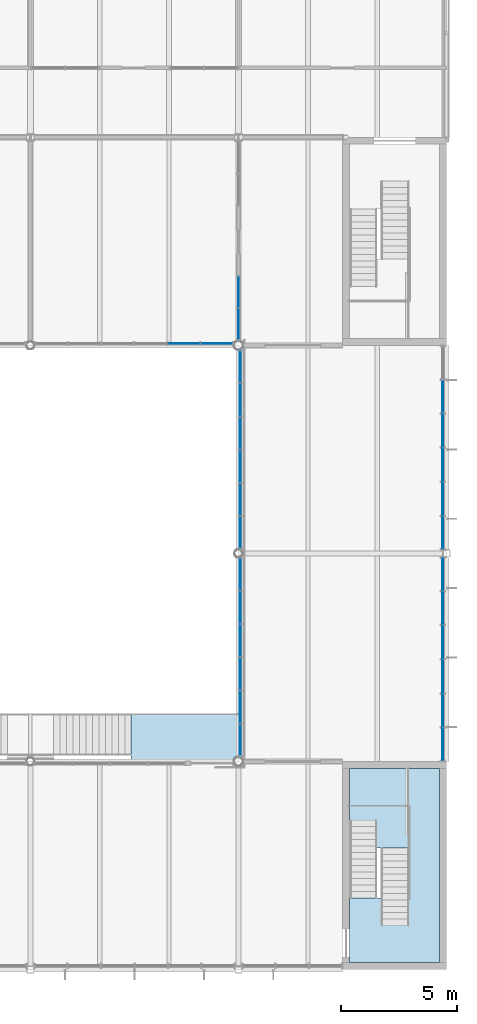
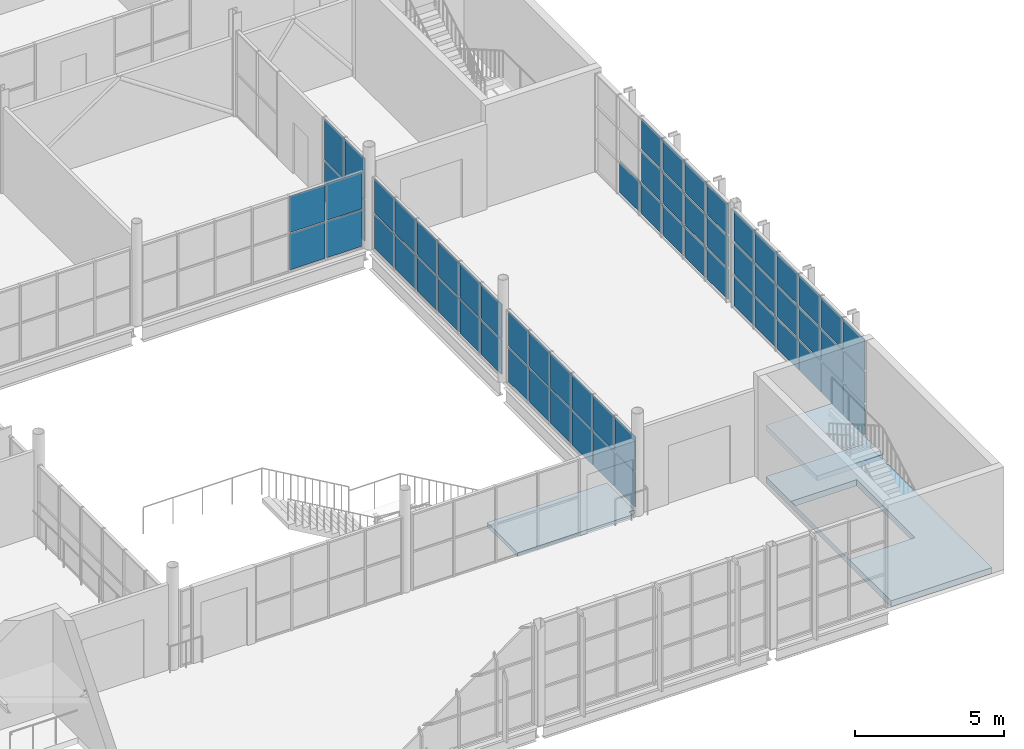
# One storey, part 30 of 57: 63 plates, 3 slabs, 7 elements without a shape of their own.
"""IFC4 building model written with IfcOpenShell, lengths in metres."""

from ifc_helpers import new_model, si_unit, direction, frame, origin, origin_2d, place, context, subcontext, project, spatial, polyline, rectangle, outline, extrude, material, layer, layer_set, type_object, element, aggregate, save


model = new_model("IFC4")

# Units and contexts
model_context = context("Model", 3, precision=1e-05, world=origin(), true_north=direction((0.0, 1.0)))
body_context = subcontext(model_context, "Body", "Model", "MODEL_VIEW")
ifc_project = project(units=[si_unit("LENGTHUNIT", "METRE"), si_unit("AREAUNIT", "SQUARE_METRE"), si_unit("VOLUMEUNIT", "CUBIC_METRE"), si_unit("PLANEANGLEUNIT", "RADIAN"), si_unit("MASSUNIT", "GRAM", prefix="KILO")], contexts=[model_context])

# Site, building, storey
site_placement = place(None, origin())
site = spatial("IfcSite", under=ifc_project, at=site_placement, CompositionType="ELEMENT")
building_placement = place(site_placement, origin())
building = spatial("IfcBuilding", under=site, at=building_placement, Name="Halyard Row Museum", CompositionType="ELEMENT")
storey_placement = place(building_placement, frame((0.0, 0.0, 5.0)))
storey = spatial("IfcBuildingStorey", under=building, at=storey_placement, Name="L01", CompositionType="ELEMENT", Elevation=5.0)

# Slab
ifc_material_1 = material(Name="Concrete 40 MPa", Category="concrete")
ifc_layer_1 = layer(ifc_material_1, 0.25)
ifc_layer_set_1 = layer_set([ifc_layer_1], Name="Concrete 40 MPa")
slab_type_1 = type_object("IfcSlabType", Name="Core floor slab 250", PredefinedType="FLOOR", material=ifc_layer_set_1)
slab_1_placement = place(storey_placement, frame((0.0, 0.0, -0.25)))
element("IfcSlab", 1, at=slab_1_placement, inside=storey, type_object=slab_type_1, Name="Core floor K2B L01", PredefinedType="FLOOR", context=body_context, shape_type="SweptSolid", body=[
    extrude(outline(polyline([(107.699951171875, 8.699951171875), (103.800048828125, 8.699951171875), (103.800048828125, 0.300048828125), (107.699951171875, 0.300048828125), (107.699951171875, 8.699951171875)]), holes=[polyline([(103.802978515625, 7.01708984375), (106.346923828125, 7.01708984375), (106.346923828125, 3.10302734375), (103.802978515625, 3.10302734375), (103.802978515625, 7.01708984375)])]), origin(), (0.0, 0.0, 1.0), 0.25),
])

# Curtain wall, plates
ifc_material_2 = material(Name="Double glazed unit, low-emissivity", Category="glass")
ifc_layer_2 = layer(ifc_material_2, 0.219970703125)
ifc_layer_set_2 = layer_set([ifc_layer_2], Name="Double glazed unit, low-emissivity")
curtain_wall_type_1 = type_object("IfcCurtainWallType", Name="Curtain wall unitised 220 deep", PredefinedType="NOTDEFINED", material=ifc_layer_set_2)
curtain_wall_1_placement = place(storey_placement, origin())
curtain_wall_1 = element("IfcCurtainWall", 2, at=curtain_wall_1_placement, inside=storey, type_object=curtain_wall_type_1, Name="Curtain wall CW020", PredefinedType="NOTDEFINED")
ifc_material_3 = material(Name="Double glazed unit, low-emissivity", Category="glass")
ifc_layer_3 = layer(ifc_material_3, 0.035888671875)
ifc_layer_set_3 = layer_set([ifc_layer_3], Name="Double glazed unit, low-emissivity")
plate_type_1 = type_object("IfcPlateType", Name="Curtain wall glazed panel CP3 36", PredefinedType="CURTAIN_PANEL", material=ifc_layer_set_3)
plate_1_placement = place(storey_placement, frame((107.840087890625, 9.75244140625, 0.06005859375), z_axis=(0.0, 0.0, 1.0), x_axis=(0.0, 1.0, 0.0)))
plate_1 = element("IfcPlate", 3, at=plate_1_placement, type_object=plate_type_1, Name="CW020 panel 1.1", PredefinedType="CURTAIN_PANEL", context=body_context, shape_type="SweptSolid", body=[
    extrude(rectangle(XDim=1.385009765625, YDim=0.035888671875, at=origin_2d()), origin(), (0.0, 0.0, 1.0), 1.2548828125),
])
plate_2_placement = place(storey_placement, frame((107.840087890625, 9.75244140625, 1.375), z_axis=(0.0, 0.0, 1.0), x_axis=(0.0, 1.0, 0.0)))
plate_2 = element("IfcPlate", 4, at=plate_2_placement, type_object=plate_type_1, Name="CW020 panel 1.2", PredefinedType="CURTAIN_PANEL", context=body_context, shape_type="SweptSolid", body=[
    extrude(rectangle(XDim=1.385009765625, YDim=0.035888671875, at=origin_2d()), origin(), (0.0, 0.0, 1.0), 1.284912109375),
])
plate_3_placement = place(storey_placement, frame((107.840087890625, 9.75244140625, 2.719970703125), z_axis=(0.0, 0.0, 1.0), x_axis=(0.0, 1.0, 0.0)))
plate_3 = element("IfcPlate", 5, at=plate_3_placement, type_object=plate_type_1, Name="CW020 panel 1.3", PredefinedType="CURTAIN_PANEL", context=body_context, shape_type="SweptSolid", body=[
    extrude(rectangle(XDim=1.385009765625, YDim=0.035888671875, at=origin_2d()), origin(), (0.0, 0.0, 1.0), 1.2548828125),
])
plate_4_placement = place(storey_placement, frame((107.840087890625, 11.21240234375, 0.06005859375), z_axis=(0.0, 0.0, 1.0), x_axis=(0.0, 1.0, 0.0)))
plate_4 = element("IfcPlate", 6, at=plate_4_placement, type_object=plate_type_1, Name="CW020 panel 2.1", PredefinedType="CURTAIN_PANEL", context=body_context, shape_type="SweptSolid", body=[
    extrude(rectangle(XDim=1.4150390625, YDim=0.035888671875, at=origin_2d()), origin(), (0.0, 0.0, 1.0), 1.2548828125),
])
plate_5_placement = place(storey_placement, frame((107.840087890625, 11.21240234375, 1.375), z_axis=(0.0, 0.0, 1.0), x_axis=(0.0, 1.0, 0.0)))
plate_5 = element("IfcPlate", 7, at=plate_5_placement, type_object=plate_type_1, Name="CW020 panel 2.2", PredefinedType="CURTAIN_PANEL", context=body_context, shape_type="SweptSolid", body=[
    extrude(rectangle(XDim=1.4150390625, YDim=0.035888671875, at=origin_2d()), origin(), (0.0, 0.0, 1.0), 1.284912109375),
])
plate_6_placement = place(storey_placement, frame((107.840087890625, 11.21240234375, 2.719970703125), z_axis=(0.0, 0.0, 1.0), x_axis=(0.0, 1.0, 0.0)))
plate_6 = element("IfcPlate", 8, at=plate_6_placement, type_object=plate_type_1, Name="CW020 panel 2.3", PredefinedType="CURTAIN_PANEL", context=body_context, shape_type="SweptSolid", body=[
    extrude(rectangle(XDim=1.4150390625, YDim=0.035888671875, at=origin_2d()), origin(), (0.0, 0.0, 1.0), 1.2548828125),
])
plate_7_placement = place(storey_placement, frame((107.840087890625, 12.6875, 0.06005859375), z_axis=(0.0, 0.0, 1.0), x_axis=(0.0, 1.0, 0.0)))
plate_7 = element("IfcPlate", 9, at=plate_7_placement, type_object=plate_type_1, Name="CW020 panel 3.1", PredefinedType="CURTAIN_PANEL", context=body_context, shape_type="SweptSolid", body=[
    extrude(rectangle(XDim=1.4150390625, YDim=0.035888671875, at=origin_2d()), origin(), (0.0, 0.0, 1.0), 1.2548828125),
])
plate_8_placement = place(storey_placement, frame((107.840087890625, 12.6875, 1.375), z_axis=(0.0, 0.0, 1.0), x_axis=(0.0, 1.0, 0.0)))
plate_8 = element("IfcPlate", 10, at=plate_8_placement, type_object=plate_type_1, Name="CW020 panel 3.2", PredefinedType="CURTAIN_PANEL", context=body_context, shape_type="SweptSolid", body=[
    extrude(rectangle(XDim=1.4150390625, YDim=0.035888671875, at=origin_2d()), origin(), (0.0, 0.0, 1.0), 1.284912109375),
])
plate_9_placement = place(storey_placement, frame((107.840087890625, 12.6875, 2.719970703125), z_axis=(0.0, 0.0, 1.0), x_axis=(0.0, 1.0, 0.0)))
plate_9 = element("IfcPlate", 11, at=plate_9_placement, type_object=plate_type_1, Name="CW020 panel 3.3", PredefinedType="CURTAIN_PANEL", context=body_context, shape_type="SweptSolid", body=[
    extrude(rectangle(XDim=1.4150390625, YDim=0.035888671875, at=origin_2d()), origin(), (0.0, 0.0, 1.0), 1.2548828125),
])
plate_10_placement = place(storey_placement, frame((107.840087890625, 14.16259765625, 0.06005859375), z_axis=(0.0, 0.0, 1.0), x_axis=(0.0, 1.0, 0.0)))
plate_10 = element("IfcPlate", 12, at=plate_10_placement, type_object=plate_type_1, Name="CW020 panel 4.1", PredefinedType="CURTAIN_PANEL", context=body_context, shape_type="SweptSolid", body=[
    extrude(rectangle(XDim=1.4150390625, YDim=0.035888671875, at=origin_2d()), origin(), (0.0, 0.0, 1.0), 1.2548828125),
])
plate_11_placement = place(storey_placement, frame((107.840087890625, 14.16259765625, 1.375), z_axis=(0.0, 0.0, 1.0), x_axis=(0.0, 1.0, 0.0)))
plate_11 = element("IfcPlate", 13, at=plate_11_placement, type_object=plate_type_1, Name="CW020 panel 4.2", PredefinedType="CURTAIN_PANEL", context=body_context, shape_type="SweptSolid", body=[
    extrude(rectangle(XDim=1.4150390625, YDim=0.035888671875, at=origin_2d()), origin(), (0.0, 0.0, 1.0), 1.284912109375),
])
plate_12_placement = place(storey_placement, frame((107.840087890625, 14.16259765625, 2.719970703125), z_axis=(0.0, 0.0, 1.0), x_axis=(0.0, 1.0, 0.0)))
plate_12 = element("IfcPlate", 14, at=plate_12_placement, type_object=plate_type_1, Name="CW020 panel 4.3", PredefinedType="CURTAIN_PANEL", context=body_context, shape_type="SweptSolid", body=[
    extrude(rectangle(XDim=1.4150390625, YDim=0.035888671875, at=origin_2d()), origin(), (0.0, 0.0, 1.0), 1.2548828125),
])
plate_13_placement = place(storey_placement, frame((107.840087890625, 15.637451171875, 0.06005859375), z_axis=(0.0, 0.0, 1.0), x_axis=(0.0, 1.0, 0.0)))
plate_13 = element("IfcPlate", 15, at=plate_13_placement, type_object=plate_type_1, Name="CW020 panel 5.1", PredefinedType="CURTAIN_PANEL", context=body_context, shape_type="SweptSolid", body=[
    extrude(rectangle(XDim=1.4150390625, YDim=0.035888671875, at=origin_2d()), origin(), (0.0, 0.0, 1.0), 1.2548828125),
])
plate_14_placement = place(storey_placement, frame((107.840087890625, 15.637451171875, 1.375), z_axis=(0.0, 0.0, 1.0), x_axis=(0.0, 1.0, 0.0)))
plate_14 = element("IfcPlate", 16, at=plate_14_placement, type_object=plate_type_1, Name="CW020 panel 5.2", PredefinedType="CURTAIN_PANEL", context=body_context, shape_type="SweptSolid", body=[
    extrude(rectangle(XDim=1.4150390625, YDim=0.035888671875, at=origin_2d()), origin(), (0.0, 0.0, 1.0), 1.284912109375),
])
plate_15_placement = place(storey_placement, frame((107.840087890625, 15.637451171875, 2.719970703125), z_axis=(0.0, 0.0, 1.0), x_axis=(0.0, 1.0, 0.0)))
plate_15 = element("IfcPlate", 17, at=plate_15_placement, type_object=plate_type_1, Name="CW020 panel 5.3", PredefinedType="CURTAIN_PANEL", context=body_context, shape_type="SweptSolid", body=[
    extrude(rectangle(XDim=1.4150390625, YDim=0.035888671875, at=origin_2d()), origin(), (0.0, 0.0, 1.0), 1.2548828125),
])
plate_16_placement = place(storey_placement, frame((107.840087890625, 17.097412109375, 0.06005859375), z_axis=(0.0, 0.0, 1.0), x_axis=(0.0, 1.0, 0.0)))
plate_16 = element("IfcPlate", 18, at=plate_16_placement, type_object=plate_type_1, Name="CW020 panel 6.1", PredefinedType="CURTAIN_PANEL", context=body_context, shape_type="SweptSolid", body=[
    extrude(rectangle(XDim=1.385009765625, YDim=0.035888671875, at=origin_2d()), origin(), (0.0, 0.0, 1.0), 1.2548828125),
])
plate_17_placement = place(storey_placement, frame((107.840087890625, 17.097412109375, 1.375), z_axis=(0.0, 0.0, 1.0), x_axis=(0.0, 1.0, 0.0)))
plate_17 = element("IfcPlate", 19, at=plate_17_placement, type_object=plate_type_1, Name="CW020 panel 6.2", PredefinedType="CURTAIN_PANEL", context=body_context, shape_type="SweptSolid", body=[
    extrude(rectangle(XDim=1.385009765625, YDim=0.035888671875, at=origin_2d()), origin(), (0.0, 0.0, 1.0), 1.284912109375),
])
plate_18_placement = place(storey_placement, frame((107.840087890625, 17.097412109375, 2.719970703125), z_axis=(0.0, 0.0, 1.0), x_axis=(0.0, 1.0, 0.0)))
plate_18 = element("IfcPlate", 20, at=plate_18_placement, type_object=plate_type_1, Name="CW020 panel 6.3", PredefinedType="CURTAIN_PANEL", context=body_context, shape_type="SweptSolid", body=[
    extrude(rectangle(XDim=1.385009765625, YDim=0.035888671875, at=origin_2d()), origin(), (0.0, 0.0, 1.0), 1.2548828125),
])
aggregate(curtain_wall_1, [plate_1, plate_2, plate_3, plate_4, plate_5, plate_6, plate_7, plate_8, plate_9, plate_10, plate_11, plate_12, plate_13, plate_14, plate_15, plate_16, plate_17, plate_18])

curtain_wall_2_placement = place(storey_placement, origin())
curtain_wall_2 = element("IfcCurtainWall", 21, at=curtain_wall_2_placement, inside=storey, type_object=curtain_wall_type_1, Name="Curtain wall CW021", PredefinedType="NOTDEFINED")
plate_19_placement = place(storey_placement, frame((107.840087890625, 18.902587890625, 0.06005859375), z_axis=(0.0, 0.0, 1.0), x_axis=(0.0, 1.0, 0.0)))
plate_19 = element("IfcPlate", 22, at=plate_19_placement, type_object=plate_type_1, Name="CW021 panel 1.1", PredefinedType="CURTAIN_PANEL", context=body_context, shape_type="SweptSolid", body=[
    extrude(rectangle(XDim=1.385009765625, YDim=0.035888671875, at=origin_2d()), origin(), (0.0, 0.0, 1.0), 1.2548828125),
])
plate_20_placement = place(storey_placement, frame((107.840087890625, 18.902587890625, 1.375), z_axis=(0.0, 0.0, 1.0), x_axis=(0.0, 1.0, 0.0)))
plate_20 = element("IfcPlate", 23, at=plate_20_placement, type_object=plate_type_1, Name="CW021 panel 1.2", PredefinedType="CURTAIN_PANEL", context=body_context, shape_type="SweptSolid", body=[
    extrude(rectangle(XDim=1.385009765625, YDim=0.035888671875, at=origin_2d()), origin(), (0.0, 0.0, 1.0), 1.284912109375),
])
plate_21_placement = place(storey_placement, frame((107.840087890625, 18.902587890625, 2.719970703125), z_axis=(0.0, 0.0, 1.0), x_axis=(0.0, 1.0, 0.0)))
plate_21 = element("IfcPlate", 24, at=plate_21_placement, type_object=plate_type_1, Name="CW021 panel 1.3", PredefinedType="CURTAIN_PANEL", context=body_context, shape_type="SweptSolid", body=[
    extrude(rectangle(XDim=1.385009765625, YDim=0.035888671875, at=origin_2d()), origin(), (0.0, 0.0, 1.0), 1.2548828125),
])
plate_22_placement = place(storey_placement, frame((107.840087890625, 20.362548828125, 0.06005859375), z_axis=(0.0, 0.0, 1.0), x_axis=(0.0, 1.0, 0.0)))
plate_22 = element("IfcPlate", 25, at=plate_22_placement, type_object=plate_type_1, Name="CW021 panel 2.1", PredefinedType="CURTAIN_PANEL", context=body_context, shape_type="SweptSolid", body=[
    extrude(rectangle(XDim=1.4150390625, YDim=0.035888671875, at=origin_2d()), origin(), (0.0, 0.0, 1.0), 1.2548828125),
])
plate_23_placement = place(storey_placement, frame((107.840087890625, 20.362548828125, 1.375), z_axis=(0.0, 0.0, 1.0), x_axis=(0.0, 1.0, 0.0)))
plate_23 = element("IfcPlate", 26, at=plate_23_placement, type_object=plate_type_1, Name="CW021 panel 2.2", PredefinedType="CURTAIN_PANEL", context=body_context, shape_type="SweptSolid", body=[
    extrude(rectangle(XDim=1.4150390625, YDim=0.035888671875, at=origin_2d()), origin(), (0.0, 0.0, 1.0), 1.284912109375),
])
plate_24_placement = place(storey_placement, frame((107.840087890625, 20.362548828125, 2.719970703125), z_axis=(0.0, 0.0, 1.0), x_axis=(0.0, 1.0, 0.0)))
plate_24 = element("IfcPlate", 27, at=plate_24_placement, type_object=plate_type_1, Name="CW021 panel 2.3", PredefinedType="CURTAIN_PANEL", context=body_context, shape_type="SweptSolid", body=[
    extrude(rectangle(XDim=1.4150390625, YDim=0.035888671875, at=origin_2d()), origin(), (0.0, 0.0, 1.0), 1.2548828125),
])
plate_25_placement = place(storey_placement, frame((107.840087890625, 21.83740234375, 0.06005859375), z_axis=(0.0, 0.0, 1.0), x_axis=(0.0, 1.0, 0.0)))
plate_25 = element("IfcPlate", 28, at=plate_25_placement, type_object=plate_type_1, Name="CW021 panel 3.1", PredefinedType="CURTAIN_PANEL", context=body_context, shape_type="SweptSolid", body=[
    extrude(rectangle(XDim=1.4150390625, YDim=0.035888671875, at=origin_2d()), origin(), (0.0, 0.0, 1.0), 1.2548828125),
])
plate_26_placement = place(storey_placement, frame((107.840087890625, 21.83740234375, 1.375), z_axis=(0.0, 0.0, 1.0), x_axis=(0.0, 1.0, 0.0)))
plate_26 = element("IfcPlate", 29, at=plate_26_placement, type_object=plate_type_1, Name="CW021 panel 3.2", PredefinedType="CURTAIN_PANEL", context=body_context, shape_type="SweptSolid", body=[
    extrude(rectangle(XDim=1.4150390625, YDim=0.035888671875, at=origin_2d()), origin(), (0.0, 0.0, 1.0), 1.284912109375),
])
plate_27_placement = place(storey_placement, frame((107.840087890625, 21.83740234375, 2.719970703125), z_axis=(0.0, 0.0, 1.0), x_axis=(0.0, 1.0, 0.0)))
plate_27 = element("IfcPlate", 30, at=plate_27_placement, type_object=plate_type_1, Name="CW021 panel 3.3", PredefinedType="CURTAIN_PANEL", context=body_context, shape_type="SweptSolid", body=[
    extrude(rectangle(XDim=1.4150390625, YDim=0.035888671875, at=origin_2d()), origin(), (0.0, 0.0, 1.0), 1.2548828125),
])
plate_28_placement = place(storey_placement, frame((107.840087890625, 23.3125, 0.06005859375), z_axis=(0.0, 0.0, 1.0), x_axis=(0.0, 1.0, 0.0)))
plate_28 = element("IfcPlate", 31, at=plate_28_placement, type_object=plate_type_1, Name="CW021 panel 4.1", PredefinedType="CURTAIN_PANEL", context=body_context, shape_type="SweptSolid", body=[
    extrude(rectangle(XDim=1.4150390625, YDim=0.035888671875, at=origin_2d()), origin(), (0.0, 0.0, 1.0), 1.2548828125),
])
plate_29_placement = place(storey_placement, frame((107.840087890625, 23.3125, 1.375), z_axis=(0.0, 0.0, 1.0), x_axis=(0.0, 1.0, 0.0)))
plate_29 = element("IfcPlate", 32, at=plate_29_placement, type_object=plate_type_1, Name="CW021 panel 4.2", PredefinedType="CURTAIN_PANEL", context=body_context, shape_type="SweptSolid", body=[
    extrude(rectangle(XDim=1.4150390625, YDim=0.035888671875, at=origin_2d()), origin(), (0.0, 0.0, 1.0), 1.284912109375),
])
plate_30_placement = place(storey_placement, frame((107.840087890625, 23.3125, 2.719970703125), z_axis=(0.0, 0.0, 1.0), x_axis=(0.0, 1.0, 0.0)))
plate_30 = element("IfcPlate", 33, at=plate_30_placement, type_object=plate_type_1, Name="CW021 panel 4.3", PredefinedType="CURTAIN_PANEL", context=body_context, shape_type="SweptSolid", body=[
    extrude(rectangle(XDim=1.4150390625, YDim=0.035888671875, at=origin_2d()), origin(), (0.0, 0.0, 1.0), 1.2548828125),
])
plate_31_placement = place(storey_placement, frame((107.840087890625, 24.78759765625, 0.06005859375), z_axis=(0.0, 0.0, 1.0), x_axis=(0.0, 1.0, 0.0)))
plate_31 = element("IfcPlate", 34, at=plate_31_placement, type_object=plate_type_1, Name="CW021 panel 5.1", PredefinedType="CURTAIN_PANEL", context=body_context, shape_type="SweptSolid", body=[
    extrude(rectangle(XDim=1.4150390625, YDim=0.035888671875, at=origin_2d()), origin(), (0.0, 0.0, 1.0), 1.2548828125),
])
aggregate(curtain_wall_2, [plate_19, plate_20, plate_21, plate_22, plate_23, plate_24, plate_25, plate_26, plate_27, plate_28, plate_29, plate_30, plate_31])

ifc_material_4 = material(Name="Fire-resisting laminated glazing", Category="glass")
ifc_layer_4 = layer(ifc_material_4, 0.159912109375)
ifc_layer_set_4 = layer_set([ifc_layer_4], Name="Fire-resisting laminated glazing")
curtain_wall_type_2 = type_object("IfcCurtainWallType", Name="Curtain wall atrium screen 160 deep", PredefinedType="NOTDEFINED", material=ifc_layer_set_4)
curtain_wall_3_placement = place(storey_placement, origin())
curtain_wall_3 = element("IfcCurtainWall", 35, at=curtain_wall_3_placement, inside=storey, type_object=curtain_wall_type_2, Name="Curtain wall CW078", PredefinedType="NOTDEFINED")
ifc_material_5 = material(Name="Fire-resisting laminated glazing", Category="glass")
ifc_layer_5 = layer(ifc_material_5, 0.0400390625)
ifc_layer_set_5 = layer_set([ifc_layer_5], Name="Fire-resisting laminated glazing")
plate_type_2 = type_object("IfcPlateType", Name="Curtain wall glazed panel CP5 40", PredefinedType="CURTAIN_PANEL", material=ifc_layer_set_5)
plate_32_placement = place(storey_placement, frame((99.080078125, 9.9365234375, 0.06005859375), z_axis=(0.0, 0.0, 1.0), x_axis=(0.0, 1.0, 0.0)))
plate_32 = element("IfcPlate", 36, at=plate_32_placement, type_object=plate_type_2, Name="CW078 panel 1.1", PredefinedType="CURTAIN_PANEL", context=body_context, shape_type="SweptSolid", body=[
    extrude(rectangle(XDim=1.346435546875, YDim=0.0400390625, at=origin_2d()), origin(), (0.0, 0.0, 1.0), 1.402587890625),
])
plate_33_placement = place(storey_placement, frame((99.080078125, 9.9365234375, 1.5224609375), z_axis=(0.0, 0.0, 1.0), x_axis=(0.0, 1.0, 0.0)))
plate_33 = element("IfcPlate", 37, at=plate_33_placement, type_object=plate_type_2, Name="CW078 panel 1.2", PredefinedType="CURTAIN_PANEL", context=body_context, shape_type="SweptSolid", body=[
    extrude(rectangle(XDim=1.346435546875, YDim=0.0400390625, at=origin_2d()), origin(), (0.0, 0.0, 1.0), 1.402587890625),
])
plate_34_placement = place(storey_placement, frame((99.080078125, 11.35791015625, 0.06005859375), z_axis=(0.0, 0.0, 1.0), x_axis=(0.0, 1.0, 0.0)))
plate_34 = element("IfcPlate", 38, at=plate_34_placement, type_object=plate_type_2, Name="CW078 panel 2.1", PredefinedType="CURTAIN_PANEL", context=body_context, shape_type="SweptSolid", body=[
    extrude(rectangle(XDim=1.37646484375, YDim=0.0400390625, at=origin_2d()), origin(), (0.0, 0.0, 1.0), 1.402587890625),
])
plate_35_placement = place(storey_placement, frame((99.080078125, 11.35791015625, 1.5224609375), z_axis=(0.0, 0.0, 1.0), x_axis=(0.0, 1.0, 0.0)))
plate_35 = element("IfcPlate", 39, at=plate_35_placement, type_object=plate_type_2, Name="CW078 panel 2.2", PredefinedType="CURTAIN_PANEL", context=body_context, shape_type="SweptSolid", body=[
    extrude(rectangle(XDim=1.37646484375, YDim=0.0400390625, at=origin_2d()), origin(), (0.0, 0.0, 1.0), 1.402587890625),
])
plate_36_placement = place(storey_placement, frame((99.080078125, 12.79443359375, 0.06005859375), z_axis=(0.0, 0.0, 1.0), x_axis=(0.0, 1.0, 0.0)))
plate_36 = element("IfcPlate", 40, at=plate_36_placement, type_object=plate_type_2, Name="CW078 panel 3.1", PredefinedType="CURTAIN_PANEL", context=body_context, shape_type="SweptSolid", body=[
    extrude(rectangle(XDim=1.37646484375, YDim=0.0400390625, at=origin_2d()), origin(), (0.0, 0.0, 1.0), 1.402587890625),
])
plate_37_placement = place(storey_placement, frame((99.080078125, 12.79443359375, 1.5224609375), z_axis=(0.0, 0.0, 1.0), x_axis=(0.0, 1.0, 0.0)))
plate_37 = element("IfcPlate", 41, at=plate_37_placement, type_object=plate_type_2, Name="CW078 panel 3.2", PredefinedType="CURTAIN_PANEL", context=body_context, shape_type="SweptSolid", body=[
    extrude(rectangle(XDim=1.37646484375, YDim=0.0400390625, at=origin_2d()), origin(), (0.0, 0.0, 1.0), 1.402587890625),
])
plate_38_placement = place(storey_placement, frame((99.080078125, 14.23095703125, 0.06005859375), z_axis=(0.0, 0.0, 1.0), x_axis=(0.0, 1.0, 0.0)))
plate_38 = element("IfcPlate", 42, at=plate_38_placement, type_object=plate_type_2, Name="CW078 panel 4.1", PredefinedType="CURTAIN_PANEL", context=body_context, shape_type="SweptSolid", body=[
    extrude(rectangle(XDim=1.37646484375, YDim=0.0400390625, at=origin_2d()), origin(), (0.0, 0.0, 1.0), 1.402587890625),
])
plate_39_placement = place(storey_placement, frame((99.080078125, 14.23095703125, 1.5224609375), z_axis=(0.0, 0.0, 1.0), x_axis=(0.0, 1.0, 0.0)))
plate_39 = element("IfcPlate", 43, at=plate_39_placement, type_object=plate_type_2, Name="CW078 panel 4.2", PredefinedType="CURTAIN_PANEL", context=body_context, shape_type="SweptSolid", body=[
    extrude(rectangle(XDim=1.37646484375, YDim=0.0400390625, at=origin_2d()), origin(), (0.0, 0.0, 1.0), 1.402587890625),
])
plate_40_placement = place(storey_placement, frame((99.080078125, 15.66748046875, 0.06005859375), z_axis=(0.0, 0.0, 1.0), x_axis=(0.0, 1.0, 0.0)))
plate_40 = element("IfcPlate", 44, at=plate_40_placement, type_object=plate_type_2, Name="CW078 panel 5.1", PredefinedType="CURTAIN_PANEL", context=body_context, shape_type="SweptSolid", body=[
    extrude(rectangle(XDim=1.37646484375, YDim=0.0400390625, at=origin_2d()), origin(), (0.0, 0.0, 1.0), 1.402587890625),
])
plate_41_placement = place(storey_placement, frame((99.080078125, 15.66748046875, 1.5224609375), z_axis=(0.0, 0.0, 1.0), x_axis=(0.0, 1.0, 0.0)))
plate_41 = element("IfcPlate", 45, at=plate_41_placement, type_object=plate_type_2, Name="CW078 panel 5.2", PredefinedType="CURTAIN_PANEL", context=body_context, shape_type="SweptSolid", body=[
    extrude(rectangle(XDim=1.37646484375, YDim=0.0400390625, at=origin_2d()), origin(), (0.0, 0.0, 1.0), 1.402587890625),
])
plate_42_placement = place(storey_placement, frame((99.080078125, 17.0888671875, 0.06005859375), z_axis=(0.0, 0.0, 1.0), x_axis=(0.0, 1.0, 0.0)))
plate_42 = element("IfcPlate", 46, at=plate_42_placement, type_object=plate_type_2, Name="CW078 panel 6.1", PredefinedType="CURTAIN_PANEL", context=body_context, shape_type="SweptSolid", body=[
    extrude(rectangle(XDim=1.346435546875, YDim=0.0400390625, at=origin_2d()), origin(), (0.0, 0.0, 1.0), 1.402587890625),
])
plate_43_placement = place(storey_placement, frame((99.080078125, 17.0888671875, 1.5224609375), z_axis=(0.0, 0.0, 1.0), x_axis=(0.0, 1.0, 0.0)))
plate_43 = element("IfcPlate", 47, at=plate_43_placement, type_object=plate_type_2, Name="CW078 panel 6.2", PredefinedType="CURTAIN_PANEL", context=body_context, shape_type="SweptSolid", body=[
    extrude(rectangle(XDim=1.346435546875, YDim=0.0400390625, at=origin_2d()), origin(), (0.0, 0.0, 1.0), 1.402587890625),
])
aggregate(curtain_wall_3, [plate_32, plate_33, plate_34, plate_35, plate_36, plate_37, plate_38, plate_39, plate_40, plate_41, plate_42, plate_43])

curtain_wall_4_placement = place(storey_placement, origin())
curtain_wall_4 = element("IfcCurtainWall", 48, at=curtain_wall_4_placement, inside=storey, type_object=curtain_wall_type_2, Name="Curtain wall CW079", PredefinedType="NOTDEFINED")
plate_44_placement = place(storey_placement, frame((99.080078125, 18.9111328125, 0.06005859375), z_axis=(0.0, 0.0, 1.0), x_axis=(0.0, 1.0, 0.0)))
plate_44 = element("IfcPlate", 49, at=plate_44_placement, type_object=plate_type_2, Name="CW079 panel 1.1", PredefinedType="CURTAIN_PANEL", context=body_context, shape_type="SweptSolid", body=[
    extrude(rectangle(XDim=1.346435546875, YDim=0.0400390625, at=origin_2d()), origin(), (0.0, 0.0, 1.0), 1.402587890625),
])
plate_45_placement = place(storey_placement, frame((99.080078125, 18.9111328125, 1.5224609375), z_axis=(0.0, 0.0, 1.0), x_axis=(0.0, 1.0, 0.0)))
plate_45 = element("IfcPlate", 50, at=plate_45_placement, type_object=plate_type_2, Name="CW079 panel 1.2", PredefinedType="CURTAIN_PANEL", context=body_context, shape_type="SweptSolid", body=[
    extrude(rectangle(XDim=1.346435546875, YDim=0.0400390625, at=origin_2d()), origin(), (0.0, 0.0, 1.0), 1.402587890625),
])
plate_46_placement = place(storey_placement, frame((99.080078125, 20.33251953125, 0.06005859375), z_axis=(0.0, 0.0, 1.0), x_axis=(0.0, 1.0, 0.0)))
plate_46 = element("IfcPlate", 51, at=plate_46_placement, type_object=plate_type_2, Name="CW079 panel 2.1", PredefinedType="CURTAIN_PANEL", context=body_context, shape_type="SweptSolid", body=[
    extrude(rectangle(XDim=1.37646484375, YDim=0.0400390625, at=origin_2d()), origin(), (0.0, 0.0, 1.0), 1.402587890625),
])
plate_47_placement = place(storey_placement, frame((99.080078125, 20.33251953125, 1.5224609375), z_axis=(0.0, 0.0, 1.0), x_axis=(0.0, 1.0, 0.0)))
plate_47 = element("IfcPlate", 52, at=plate_47_placement, type_object=plate_type_2, Name="CW079 panel 2.2", PredefinedType="CURTAIN_PANEL", context=body_context, shape_type="SweptSolid", body=[
    extrude(rectangle(XDim=1.37646484375, YDim=0.0400390625, at=origin_2d()), origin(), (0.0, 0.0, 1.0), 1.402587890625),
])
plate_48_placement = place(storey_placement, frame((99.080078125, 21.76904296875, 0.06005859375), z_axis=(0.0, 0.0, 1.0), x_axis=(0.0, 1.0, 0.0)))
plate_48 = element("IfcPlate", 53, at=plate_48_placement, type_object=plate_type_2, Name="CW079 panel 3.1", PredefinedType="CURTAIN_PANEL", context=body_context, shape_type="SweptSolid", body=[
    extrude(rectangle(XDim=1.37646484375, YDim=0.0400390625, at=origin_2d()), origin(), (0.0, 0.0, 1.0), 1.402587890625),
])
plate_49_placement = place(storey_placement, frame((99.080078125, 21.76904296875, 1.5224609375), z_axis=(0.0, 0.0, 1.0), x_axis=(0.0, 1.0, 0.0)))
plate_49 = element("IfcPlate", 54, at=plate_49_placement, type_object=plate_type_2, Name="CW079 panel 3.2", PredefinedType="CURTAIN_PANEL", context=body_context, shape_type="SweptSolid", body=[
    extrude(rectangle(XDim=1.37646484375, YDim=0.0400390625, at=origin_2d()), origin(), (0.0, 0.0, 1.0), 1.402587890625),
])
plate_50_placement = place(storey_placement, frame((99.080078125, 23.20556640625, 0.06005859375), z_axis=(0.0, 0.0, 1.0), x_axis=(0.0, 1.0, 0.0)))
plate_50 = element("IfcPlate", 55, at=plate_50_placement, type_object=plate_type_2, Name="CW079 panel 4.1", PredefinedType="CURTAIN_PANEL", context=body_context, shape_type="SweptSolid", body=[
    extrude(rectangle(XDim=1.37646484375, YDim=0.0400390625, at=origin_2d()), origin(), (0.0, 0.0, 1.0), 1.402587890625),
])
plate_51_placement = place(storey_placement, frame((99.080078125, 23.20556640625, 1.5224609375), z_axis=(0.0, 0.0, 1.0), x_axis=(0.0, 1.0, 0.0)))
plate_51 = element("IfcPlate", 56, at=plate_51_placement, type_object=plate_type_2, Name="CW079 panel 4.2", PredefinedType="CURTAIN_PANEL", context=body_context, shape_type="SweptSolid", body=[
    extrude(rectangle(XDim=1.37646484375, YDim=0.0400390625, at=origin_2d()), origin(), (0.0, 0.0, 1.0), 1.402587890625),
])
plate_52_placement = place(storey_placement, frame((99.080078125, 24.64208984375, 0.06005859375), z_axis=(0.0, 0.0, 1.0), x_axis=(0.0, 1.0, 0.0)))
plate_52 = element("IfcPlate", 57, at=plate_52_placement, type_object=plate_type_2, Name="CW079 panel 5.1", PredefinedType="CURTAIN_PANEL", context=body_context, shape_type="SweptSolid", body=[
    extrude(rectangle(XDim=1.37646484375, YDim=0.0400390625, at=origin_2d()), origin(), (0.0, 0.0, 1.0), 1.402587890625),
])
plate_53_placement = place(storey_placement, frame((99.080078125, 24.64208984375, 1.5224609375), z_axis=(0.0, 0.0, 1.0), x_axis=(0.0, 1.0, 0.0)))
plate_53 = element("IfcPlate", 58, at=plate_53_placement, type_object=plate_type_2, Name="CW079 panel 5.2", PredefinedType="CURTAIN_PANEL", context=body_context, shape_type="SweptSolid", body=[
    extrude(rectangle(XDim=1.37646484375, YDim=0.0400390625, at=origin_2d()), origin(), (0.0, 0.0, 1.0), 1.402587890625),
])
plate_54_placement = place(storey_placement, frame((99.080078125, 26.0634765625, 0.06005859375), z_axis=(0.0, 0.0, 1.0), x_axis=(0.0, 1.0, 0.0)))
plate_54 = element("IfcPlate", 59, at=plate_54_placement, type_object=plate_type_2, Name="CW079 panel 6.1", PredefinedType="CURTAIN_PANEL", context=body_context, shape_type="SweptSolid", body=[
    extrude(rectangle(XDim=1.346435546875, YDim=0.0400390625, at=origin_2d()), origin(), (0.0, 0.0, 1.0), 1.402587890625),
])
plate_55_placement = place(storey_placement, frame((99.080078125, 26.0634765625, 1.5224609375), z_axis=(0.0, 0.0, 1.0), x_axis=(0.0, 1.0, 0.0)))
plate_55 = element("IfcPlate", 60, at=plate_55_placement, type_object=plate_type_2, Name="CW079 panel 6.2", PredefinedType="CURTAIN_PANEL", context=body_context, shape_type="SweptSolid", body=[
    extrude(rectangle(XDim=1.346435546875, YDim=0.0400390625, at=origin_2d()), origin(), (0.0, 0.0, 1.0), 1.402587890625),
])
aggregate(curtain_wall_4, [plate_44, plate_45, plate_46, plate_47, plate_48, plate_49, plate_50, plate_51, plate_52, plate_53, plate_54, plate_55])

curtain_wall_5_placement = place(storey_placement, origin())
curtain_wall_5 = element("IfcCurtainWall", 61, at=curtain_wall_5_placement, inside=storey, type_object=curtain_wall_type_2, Name="Curtain wall CW080", PredefinedType="NOTDEFINED")
plate_56_placement = place(storey_placement, frame((98.0634765625, 27.080078125, 0.06005859375), z_axis=(0.0, 0.0, 1.0), x_axis=(-1.0, 0.0, 0.0)))
plate_56 = element("IfcPlate", 62, at=plate_56_placement, type_object=plate_type_2, Name="CW080 panel 1.1", PredefinedType="CURTAIN_PANEL", context=body_context, shape_type="SweptSolid", body=[
    extrude(rectangle(XDim=1.346435546875, YDim=0.0400390625, at=origin_2d()), origin(), (0.0, 0.0, 1.0), 1.47216796875),
])
plate_57_placement = place(storey_placement, frame((98.0634765625, 27.080078125, 1.59228515625), z_axis=(0.0, 0.0, 1.0), x_axis=(-1.0, 0.0, 0.0)))
plate_57 = element("IfcPlate", 63, at=plate_57_placement, type_object=plate_type_2, Name="CW080 panel 1.2", PredefinedType="CURTAIN_PANEL", context=body_context, shape_type="SweptSolid", body=[
    extrude(rectangle(XDim=1.346435546875, YDim=0.0400390625, at=origin_2d()), origin(), (0.0, 0.0, 1.0), 1.47216796875),
])
plate_58_placement = place(storey_placement, frame((96.64208984375, 27.080078125, 0.06005859375), z_axis=(0.0, 0.0, 1.0), x_axis=(-1.0, 0.0, 0.0)))
plate_58 = element("IfcPlate", 64, at=plate_58_placement, type_object=plate_type_2, Name="CW080 panel 2.1", PredefinedType="CURTAIN_PANEL", context=body_context, shape_type="SweptSolid", body=[
    extrude(rectangle(XDim=1.37646484375, YDim=0.0400390625, at=origin_2d()), origin(), (0.0, 0.0, 1.0), 1.47216796875),
])
plate_59_placement = place(storey_placement, frame((96.64208984375, 27.080078125, 1.59228515625), z_axis=(0.0, 0.0, 1.0), x_axis=(-1.0, 0.0, 0.0)))
plate_59 = element("IfcPlate", 65, at=plate_59_placement, type_object=plate_type_2, Name="CW080 panel 2.2", PredefinedType="CURTAIN_PANEL", context=body_context, shape_type="SweptSolid", body=[
    extrude(rectangle(XDim=1.37646484375, YDim=0.0400390625, at=origin_2d()), origin(), (0.0, 0.0, 1.0), 1.47216796875),
])
aggregate(curtain_wall_5, [plate_56, plate_57, plate_58, plate_59])

curtain_wall_6_placement = place(storey_placement, origin())
curtain_wall_6 = element("IfcCurtainWall", 66, at=curtain_wall_6_placement, inside=storey, type_object=curtain_wall_type_2, Name="Curtain wall CW146", PredefinedType="NOTDEFINED")
plate_60_placement = place(storey_placement, frame((99.0, 27.92236328125, 0.06005859375), z_axis=(0.0, 0.0, 1.0), x_axis=(0.0, 1.0, 0.0)))
plate_60 = element("IfcPlate", 67, at=plate_60_placement, type_object=plate_type_2, Name="CW146 panel 1.1", PredefinedType="CURTAIN_PANEL", context=body_context, shape_type="SweptSolid", body=[
    extrude(rectangle(XDim=1.318359375, YDim=0.0400390625, at=origin_2d()), origin(), (0.0, 0.0, 1.0), 1.660888671875),
])
plate_61_placement = place(storey_placement, frame((99.0, 27.92236328125, 1.78125), z_axis=(0.0, 0.0, 1.0), x_axis=(0.0, 1.0, 0.0)))
plate_61 = element("IfcPlate", 68, at=plate_61_placement, type_object=plate_type_2, Name="CW146 panel 1.2", PredefinedType="CURTAIN_PANEL", context=body_context, shape_type="SweptSolid", body=[
    extrude(rectangle(XDim=1.318359375, YDim=0.0400390625, at=origin_2d()), origin(), (0.0, 0.0, 1.0), 1.660888671875),
])
plate_62_placement = place(storey_placement, frame((99.0, 29.300537109375, 0.06005859375), z_axis=(0.0, 0.0, 1.0), x_axis=(0.0, 1.0, 0.0)))
plate_62 = element("IfcPlate", 69, at=plate_62_placement, type_object=plate_type_2, Name="CW146 panel 2.1", PredefinedType="CURTAIN_PANEL", context=body_context, shape_type="SweptSolid", body=[
    extrude(rectangle(XDim=1.318359375, YDim=0.0400390625, at=origin_2d()), origin(), (0.0, 0.0, 1.0), 1.660888671875),
])
plate_63_placement = place(storey_placement, frame((99.0, 29.300537109375, 1.78125), z_axis=(0.0, 0.0, 1.0), x_axis=(0.0, 1.0, 0.0)))
plate_63 = element("IfcPlate", 70, at=plate_63_placement, type_object=plate_type_2, Name="CW146 panel 2.2", PredefinedType="CURTAIN_PANEL", context=body_context, shape_type="SweptSolid", body=[
    extrude(rectangle(XDim=1.318359375, YDim=0.0400390625, at=origin_2d()), origin(), (0.0, 0.0, 1.0), 1.660888671875),
])
aggregate(curtain_wall_6, [plate_60, plate_61, plate_62, plate_63])

# Stair, slab
ifc_material_6 = material(Name="Concrete 40 MPa", Category="concrete")
stair_type = type_object("IfcStairType", Name="Exit stair two flights 1200", PredefinedType="HALF_TURN_STAIR", material=ifc_material_6)
stair_placement = place(storey_placement, origin())
stair = element("IfcStair", 71, at=stair_placement, inside=storey, type_object=stair_type, Name="Exit stair K2B L01", PredefinedType="HALF_TURN_STAIR")
ifc_material_7 = material(Name="Concrete 40 MPa", Category="concrete")
ifc_layer_6 = layer(ifc_material_7, 0.199951171875)
ifc_layer_set_6 = layer_set([ifc_layer_6], Name="Concrete 40 MPa")
slab_type_2 = type_object("IfcSlabType", Name="Exit stair landing 200", PredefinedType="LANDING", material=ifc_layer_set_6)
slab_2_placement = place(storey_placement, frame((0.0, 0.0, 1.89990234375)))
slab_2 = element("IfcSlab", 72, at=slab_2_placement, type_object=slab_type_2, Name="STK2B-L01 landing 1", PredefinedType="LANDING", context=body_context, shape_type="SweptSolid", body=[
    extrude(outline(polyline([(106.35009765625, 5.260009765625), (103.800048828125, 5.260009765625), (103.800048828125, 8.699951171875), (106.35009765625, 8.699951171875), (106.35009765625, 5.260009765625)])), origin(), (0.0, 0.0, 1.0), 0.2001953125),
])
aggregate(stair, [slab_2])

# Slab
ifc_material_8 = material(Name="Concrete 40 MPa", Category="concrete")
ifc_layer_7 = layer(ifc_material_8, 0.1650390625)
ifc_layer_set_7 = layer_set([ifc_layer_7], Name="Concrete 40 MPa")
slab_type_3 = type_object("IfcSlabType", Name="Stair apron slab", PredefinedType="FLOOR", material=ifc_layer_set_7)
slab_3_placement = place(storey_placement, frame((0.0, 0.0, -0.1650390625)))
element("IfcSlab", 73, at=slab_3_placement, inside=storey, type_object=slab_type_3, Name="Stair apron L01 2", PredefinedType="FLOOR", context=body_context, shape_type="SweptSolid", body=[
    extrude(outline(polyline([(94.35693359375, 9.0), (94.35693359375, 11.050048828125), (99.0, 11.050048828125), (99.0, 9.203125), (98.796875, 9.203125), (98.796875, 9.0), (94.35693359375, 9.0)])), origin(), (0.0, 0.0, 1.0), 0.1650390625),
])

save(model, "model.ifc")
